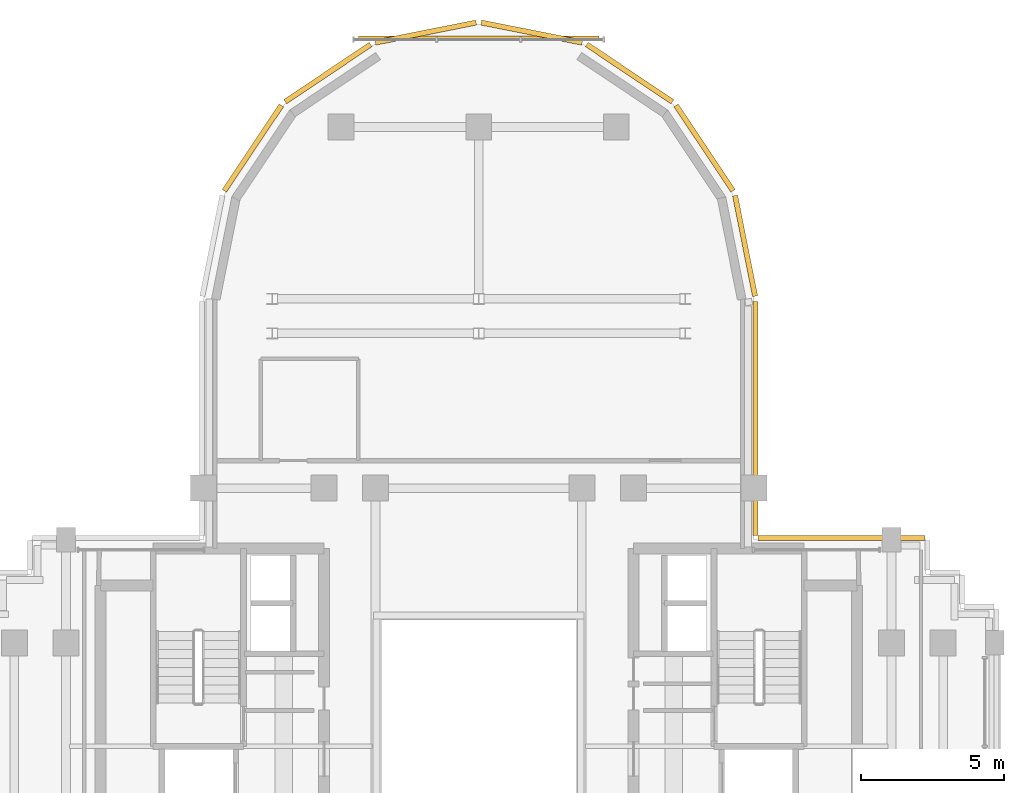
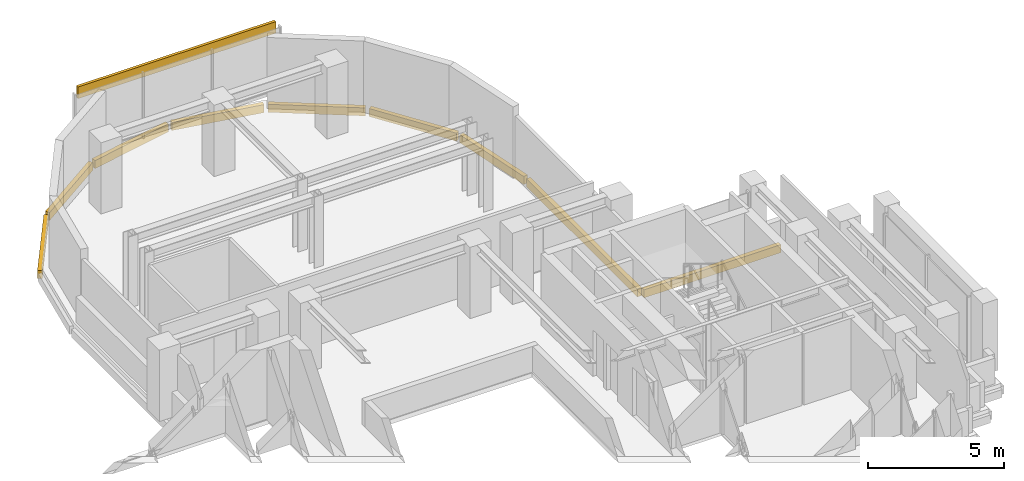
# One storey, part 11 of 11: 10 coverings.
"""IFC4 building model written with IfcOpenShell, lengths in metres."""

import ifcopenshell
import ifcopenshell.guid

model = None  # the IFC model being written
_history = None  # IfcOwnerHistory: only IFC2X3 demands one
_inside = {}  # id of a spatial element -> (the spatial element, [elements in it])
_under = {}  # id of a project, library or spatial element -> (it, [spatial elements below it])
_declared = {}  # id of a project -> (the project, [libraries it declares])
_typed = {}  # id of a type object -> (the type object, [elements of that type])
_made_of = {}  # id of a material, layer set ... -> (it, [elements and type objects made of it])


def new_model(schema):
    """Start an empty IFC model of exactly this schema.

    Asked for "IFC4X3", IfcOpenShell would pick the latest addendum, in which some entities
    have other attributes; the version numbers below select the first issue.
    IFC2X3 requires an IfcOwnerHistory on every rooted entity: one is made here for all.
    """
    global model, _history
    if schema == "IFC4X3":
        model = ifcopenshell.file(schema_version=(4, 3, 0, 0))
    else:
        model = ifcopenshell.file(schema=schema)
    _inside.clear()
    _under.clear()
    _declared.clear()
    _typed.clear()
    _made_of.clear()
    _history = None
    if model.schema == "IFC2X3":
        org = make("IfcOrganization", Name="unknown")
        user = make(
            "IfcPersonAndOrganization",
            ThePerson=make("IfcPerson", FamilyName="unknown"),
            TheOrganization=org,
        )
        app = make(
            "IfcApplication",
            ApplicationDeveloper=org,
            Version="unknown",
            ApplicationFullName="unknown",
            ApplicationIdentifier="unknown",
        )
        _history = make(
            "IfcOwnerHistory",
            OwningUser=user,
            OwningApplication=app,
            ChangeAction="ADDED",
            CreationDate=0,
        )
    return model


def make(cls, **values):
    """One entity of the class cls with the attributes given. An attribute that is None is left unset."""
    return model.create_entity(
        cls, **{name: value for name, value in values.items() if value is not None}
    )


def rooted(cls, **values):
    """An entity with a GlobalId (a new one), such as an element, a storey or a relation."""
    return make(cls, GlobalId=ifcopenshell.guid.new(), OwnerHistory=_history, **values)


def si_unit(unit_type, name, prefix=None):
    """IfcSIUnit, for example si_unit("LENGTHUNIT", "METRE", prefix="MILLI")."""
    return make("IfcSIUnit", UnitType=unit_type, Prefix=prefix, Name=name)


def assignment(units):
    """IfcUnitAssignment: the units of a project."""
    return None if units is None else make("IfcUnitAssignment", Units=units)


def point(xyz):
    """IfcCartesianPoint."""
    return None if xyz is None else make("IfcCartesianPoint", Coordinates=xyz)


def direction(xyz):
    """IfcDirection."""
    return None if xyz is None else make("IfcDirection", DirectionRatios=xyz)


def frame(location, z_axis=None, x_axis=None):
    """IfcAxis2Placement3D, a coordinate frame: its origin and axes. An axis left out is left unset."""
    return make(
        "IfcAxis2Placement3D",
        Location=point(location),
        Axis=direction(z_axis),
        RefDirection=direction(x_axis),
    )


def frame_2d(location, x_axis=None):
    """IfcAxis2Placement2D, a coordinate frame in the plane: its origin and x axis."""
    return make(
        "IfcAxis2Placement2D", Location=point(location), RefDirection=direction(x_axis)
    )


def origin():
    """The frame at (0, 0, 0) with its axes left unset."""
    return frame((0.0, 0.0, 0.0))


def origin_2d():
    """The frame at (0, 0) in the plane with its x axis left unset."""
    return frame_2d((0.0, 0.0))


def place(relative_to, where):
    """IfcLocalPlacement: puts the frame where relative to a parent placement (None: the world)."""
    return make(
        "IfcLocalPlacement", PlacementRelTo=relative_to, RelativePlacement=where
    )


def context(
    kind, dimensions, precision=None, world=None, true_north=None, identifier=None
):
    """IfcGeometricRepresentationContext, for example the 3D "Model" context."""
    return make(
        "IfcGeometricRepresentationContext",
        ContextIdentifier=identifier,
        ContextType=kind,
        CoordinateSpaceDimension=dimensions,
        Precision=precision,
        WorldCoordinateSystem=world,
        TrueNorth=true_north,
    )


def subcontext(parent, identifier, kind, view, scale=None):
    """IfcGeometricRepresentationSubContext, for example "Body" below "Model"."""
    return make(
        "IfcGeometricRepresentationSubContext",
        ContextIdentifier=identifier,
        ContextType=kind,
        ParentContext=parent,
        TargetScale=scale,
        TargetView=view,
    )


def project(units=None, contexts=None):
    """IfcProject with its units and contexts."""
    return rooted(
        "IfcProject",
        Name="project",
        RepresentationContexts=contexts,
        UnitsInContext=assignment(units),
    )


def spatial(cls, under=None, at=None, **own):
    """A site, building, storey or space (cls), placed at a placement, below another one or the project."""
    s = rooted(cls, ObjectPlacement=at, **own)
    if under is not None:
        _under.setdefault(under.id(), (under, []))[1].append(s)
    return s


def profile(cls, at=None, kind="AREA", **sizes):
    """A parametric profile (cls). Its sizes go by their IFC names, for example OverallWidth=200.0."""
    return make(cls, ProfileType=kind, Position=at, **sizes)


def rectangle(**sizes):
    """IfcRectangleProfileDef."""
    return profile("IfcRectangleProfileDef", **sizes)


def extrude(swept, where, along, depth):
    """IfcExtrudedAreaSolid: the profile swept, set in the frame where, extruded along a direction by depth."""
    return make(
        "IfcExtrudedAreaSolid",
        SweptArea=swept,
        Position=where,
        ExtrudedDirection=direction(along),
        Depth=depth,
    )


def shape(context_of_items, identifier, shape_type, items):
    """IfcShapeRepresentation: the items that make up one representation, for example the "Body"."""
    return make(
        "IfcShapeRepresentation",
        ContextOfItems=context_of_items,
        RepresentationIdentifier=identifier,
        RepresentationType=shape_type,
        Items=items,
    )


def source(mapping_origin, context_of_items, identifier, shape_type, items):
    """IfcRepresentationMap: a shape defined once, which mapped items show again and again."""
    return make(
        "IfcRepresentationMap",
        MappingOrigin=mapping_origin,
        MappedRepresentation=shape(context_of_items, identifier, shape_type, items),
    )


def transform(
    local_origin,
    x_axis=None,
    y_axis=None,
    z_axis=None,
    scale=None,
    scale2=None,
    scale3=None,
    uniform=True,
):
    """IfcCartesianTransformationOperator3D, or its non-uniform kind. x_axis, y_axis, z_axis: its Axis1, 2, 3."""
    if uniform:
        return make(
            "IfcCartesianTransformationOperator3D",
            Axis1=direction(x_axis),
            Axis2=direction(y_axis),
            LocalOrigin=point(local_origin),
            Scale=scale,
            Axis3=direction(z_axis),
        )
    return make(
        "IfcCartesianTransformationOperator3DnonUniform",
        Axis1=direction(x_axis),
        Axis2=direction(y_axis),
        LocalOrigin=point(local_origin),
        Scale=scale,
        Axis3=direction(z_axis),
        Scale2=scale2,
        Scale3=scale3,
    )


def mapped(mapping_source, mapping_target):
    """IfcMappedItem: shows the shape of a source again, moved by a transform."""
    return make(
        "IfcMappedItem", MappingSource=mapping_source, MappingTarget=mapping_target
    )


def material(Name=None, Category=None):
    """IfcMaterial."""
    return make("IfcMaterial", Name=Name, Category=Category)


def layer(
    of_material, thickness, ventilated=None, Name=None, Category=None, Priority=None
):
    """IfcMaterialLayer: one layer of a wall or slab, of a material (None: an air gap)."""
    return make(
        "IfcMaterialLayer",
        Material=of_material,
        LayerThickness=thickness,
        IsVentilated=ventilated,
        Name=Name,
        Category=Category,
        Priority=Priority,
    )


def layer_set(layers, Name=None):
    """IfcMaterialLayerSet."""
    return make("IfcMaterialLayerSet", MaterialLayers=layers, LayerSetName=Name)


def made_of(thing, what):
    """Note that an element or type object is made of a material, layer set ...; save() writes the relation."""
    if what is not None:
        _made_of.setdefault(what.id(), (what, []))[1].append(thing)
    return thing


def type_object(cls, material=None, **own):
    """A type object (cls), such as IfcWallType, which elements share."""
    return made_of(rooted(cls, **own), material)


def element(
    cls,
    number,
    at=None,
    inside=None,
    cuts=None,
    type_object=None,
    material=None,
    context=None,
    identifier="Body",
    shape_type=None,
    held_by="IfcProductDefinitionShape",
    body=None,
    shapes=None,
    **own,
):
    """One element of the class cls, such as IfcWall. Its Tag is "e" and its number.

    at: its placement. inside: the storey or other place that contains it. cuts: it is an
    opening in that element (IfcRelVoidsElement). A single representation is given by context,
    identifier, shape_type and body (its items); several are given by shapes. held_by: the class
    of the entity that holds the representations. save() writes the other relations.
    """
    e = rooted(cls, Tag="e%d" % number, ObjectPlacement=at, **own)
    if body is not None:
        shapes = [shape(context, identifier, shape_type, body)]
    if shapes is not None:
        e.Representation = make(held_by, Representations=shapes)
    if inside is not None:
        _inside.setdefault(inside.id(), (inside, []))[1].append(e)
    if cuts is not None:
        rooted(
            "IfcRelVoidsElement", RelatingBuildingElement=cuts, RelatedOpeningElement=e
        )
    if type_object is not None:
        _typed.setdefault(type_object.id(), (type_object, []))[1].append(e)
    return made_of(e, material)


def aggregate(whole, parts):
    """IfcRelAggregates: a whole, such as a stair, and the parts it consists of."""
    return rooted("IfcRelAggregates", RelatingObject=whole, RelatedObjects=parts)


def save(model, path):
    """Write the relations noted so far, then the file.

    IfcRelAggregates (storeys below a building ...), IfcRelContainedInSpatialStructure (elements
    in a storey), IfcRelDefinesByType, IfcRelAssociatesMaterial and IfcRelDeclares: one each for
    every whole, place, type object, material and project.
    """
    for whole, parts in _under.values():
        aggregate(whole, parts)
    for where, things in _inside.values():
        rooted(
            "IfcRelContainedInSpatialStructure",
            RelatedElements=things,
            RelatingStructure=where,
        )
    for kind, things in _typed.values():
        rooted("IfcRelDefinesByType", RelatedObjects=things, RelatingType=kind)
    for what, things in _made_of.values():
        rooted("IfcRelAssociatesMaterial", RelatedObjects=things, RelatingMaterial=what)
    for by, libraries in _declared.values():
        rooted("IfcRelDeclares", RelatingContext=by, RelatedDefinitions=libraries)
    model.write(path)


model = new_model("IFC4")

# Units and contexts
model_context = context("Model", 3, precision=1e-05, world=origin(), true_north=direction((0.0, 1.0)))
body_context = subcontext(model_context, "Body", "Model", "MODEL_VIEW")
ifc_project = project(units=[si_unit("LENGTHUNIT", "METRE"), si_unit("AREAUNIT", "SQUARE_METRE"), si_unit("VOLUMEUNIT", "CUBIC_METRE"), si_unit("PLANEANGLEUNIT", "RADIAN"), si_unit("MASSUNIT", "GRAM", prefix="KILO")], contexts=[model_context])

# Site, building, storey
site_placement = place(None, origin())
site = spatial("IfcSite", under=ifc_project, at=site_placement, CompositionType="ELEMENT")
building_placement = place(site_placement, origin())
building = spatial("IfcBuilding", under=site, at=building_placement, Name="Keilestroom Media Tower", CompositionType="ELEMENT")
storey_placement = place(building_placement, frame((0.0, 0.0, 167.199951171875)))
storey = spatial("IfcBuildingStorey", under=building, at=storey_placement, Name="L45", CompositionType="ELEMENT", Elevation=167.199951171875)

# Coverings
ifc_material = material(Name="Precast concrete C40/50", Category="concrete")
ifc_layer = layer(ifc_material, 0.1201171875)
ifc_layer_set = layer_set([ifc_layer], Name="Precast concrete C40/50")
covering_type = type_object("IfcCoveringType", Name="Exterior-Precast-Spandrel-Cladding-Panel-120", PredefinedType="CLADDING", material=ifc_layer_set)
shared_shape_1 = source(origin(), body_context, "Body", "SweptSolid", [
    extrude(rectangle(XDim=8.39990234375, YDim=0.1201171875, at=origin_2d()), origin(), (0.0, 0.0, 1.0), 0.52001953125),
])
covering_1_placement = place(storey_placement, frame((0.0, 24.719970703125, 2.68994140625), z_axis=(0.0, 0.0, 1.0), x_axis=(1.0, 0.0, 0.0)))
element("IfcCovering", 1, at=covering_1_placement, inside=storey, type_object=covering_type, Name="L45 Precast Spandrel Cladding N", PredefinedType="CLADDING", context=body_context, shape_type="MappedRepresentation", body=[
    mapped(shared_shape_1, transform((0.0, 0.0, 0.0), x_axis=(1.0, 0.0, 0.0), y_axis=(0.0, 1.0, 0.0), z_axis=(0.0, 0.0, 1.0), scale=1.0)),
])
shared_shape_2 = source(origin(), body_context, "Body", "SweptSolid", [
    extrude(rectangle(XDim=8.166015625, YDim=0.179931640625, at=origin_2d()), origin(), (0.0, 0.0, 1.0), 0.360107421875),
])
covering_2_placement = place(storey_placement, frame((9.659912109375, 11.43310546875, -0.5400390625), z_axis=(0.0, 0.0, 1.0), x_axis=(0.0, -1.0, 0.0)))
element("IfcCovering", 2, at=covering_2_placement, inside=storey, type_object=covering_type, Name="L45 Precast Slab-Edge Fascia Cornice 36", PredefinedType="CLADDING", context=body_context, shape_type="MappedRepresentation", body=[
    mapped(shared_shape_2, transform((0.0, 0.0, 0.0), x_axis=(1.0, 0.0, 0.0), y_axis=(0.0, 1.0, 0.0), z_axis=(0.0, 0.0, 1.0), scale=1.0)),
])
shared_shape_3 = source(origin(), body_context, "Body", "SweptSolid", [
    extrude(rectangle(XDim=3.58349609375, YDim=0.179931640625, at=origin_2d()), origin(), (0.0, 0.0, 1.0), 0.360107421875),
])
covering_3_placement = place(storey_placement, frame((9.29296875, 17.45166015625, -0.5400390625), z_axis=(0.0, 0.0, 1.0), x_axis=(0.195098880975, -0.980783577882, 0.0)))
element("IfcCovering", 3, at=covering_3_placement, inside=storey, type_object=covering_type, Name="L45 Precast Slab-Edge Fascia Cornice 35", PredefinedType="CLADDING", context=body_context, shape_type="MappedRepresentation", body=[
    mapped(shared_shape_3, transform((0.0, 0.0, 0.0), x_axis=(1.0, 0.0, 0.0), y_axis=(0.0, 1.0, 0.0), z_axis=(0.0, 0.0, 1.0), scale=1.0)),
])
shared_shape_4 = source(origin(), body_context, "Body", "SweptSolid", [
    extrude(rectangle(XDim=3.589599609375, YDim=0.179931640625, at=origin_2d()), origin(), (0.0, 0.0, 1.0), 0.360107421875),
])
for number, where, z_axis, x_axis, name in (
    (4, (-7.878662109375, 20.8642578125, -0.5400390625), (0.0, 0.0, 1.0), (0.555574586577, 0.831466703332, 0.0), "L45 Precast Slab-Edge Fascia Cornice 29"),
    (5, (-5.264404296875, 23.478515625, -0.5400390625), (0.0, 0.0, 1.0), (0.831466703332, 0.555574586577, 0.0), "L45 Precast Slab-Edge Fascia Cornice 30"),
    (6, (-1.8486328125, 24.893310546875, -0.5400390625), (0.0, 0.0, 1.0), (0.980783577882, 0.195098880975, 0.0), "L45 Precast Slab-Edge Fascia Cornice 31"),
    (7, (1.8486328125, 24.893310546875, -0.5400390625), (0.0, 0.0, 1.0), (0.980783577882, -0.195098880975, 0.0), "L45 Precast Slab-Edge Fascia Cornice 32"),
    (8, (5.264404296875, 23.478515625, -0.5400390625), (0.0, 0.0, 1.0), (0.831466703332, -0.555574586577, 0.0), "L45 Precast Slab-Edge Fascia Cornice 33"),
    (9, (7.878662109375, 20.8642578125, -0.5400390625), (0.0, 0.0, 1.0), (0.555574586577, -0.831466703332, 0.0), "L45 Precast Slab-Edge Fascia Cornice 34"),
):
    element("IfcCovering", number, at=place(storey_placement, frame(where, z_axis=z_axis, x_axis=x_axis)), inside=storey, type_object=covering_type, Name=name, PredefinedType="CLADDING", context=body_context, shape_type="MappedRepresentation", body=[
        mapped(shared_shape_4, transform((0.0, 0.0, 0.0), x_axis=(1.0, 0.0, 0.0), y_axis=(0.0, 1.0, 0.0), z_axis=(0.0, 0.0, 1.0), scale=1.0)),
    ])
shared_shape_5 = source(origin(), body_context, "Body", "SweptSolid", [
    extrude(rectangle(XDim=5.820068359375, YDim=0.179931640625, at=origin_2d()), origin(), (0.0, 0.0, 1.0), 0.360107421875),
])
covering_4_placement = place(storey_placement, frame((12.659912109375, 7.260009765625, -0.5400390625), z_axis=(0.0, 0.0, 1.0), x_axis=(1.0, 0.0, 0.0)))
element("IfcCovering", 10, at=covering_4_placement, inside=storey, type_object=covering_type, Name="L45 Precast Slab-Edge Fascia Cornice 37", PredefinedType="CLADDING", context=body_context, shape_type="MappedRepresentation", body=[
    mapped(shared_shape_5, transform((0.0, 0.0, 0.0), x_axis=(1.0, 0.0, 0.0), y_axis=(0.0, 1.0, 0.0), z_axis=(0.0, 0.0, 1.0), scale=1.0)),
])

save(model, "model.ifc")
